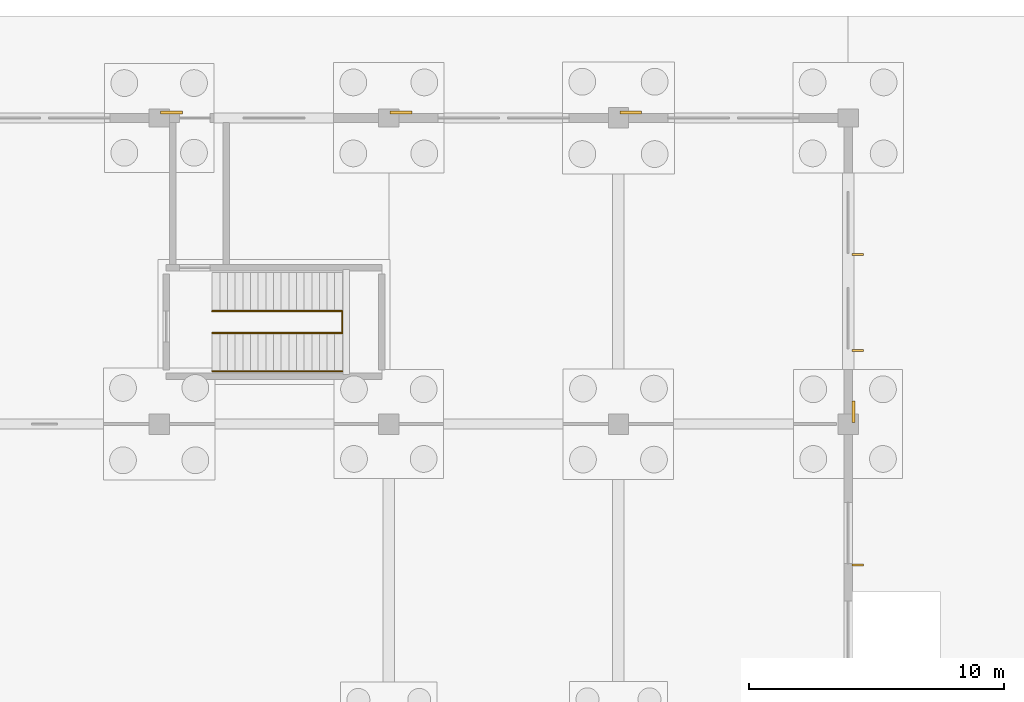
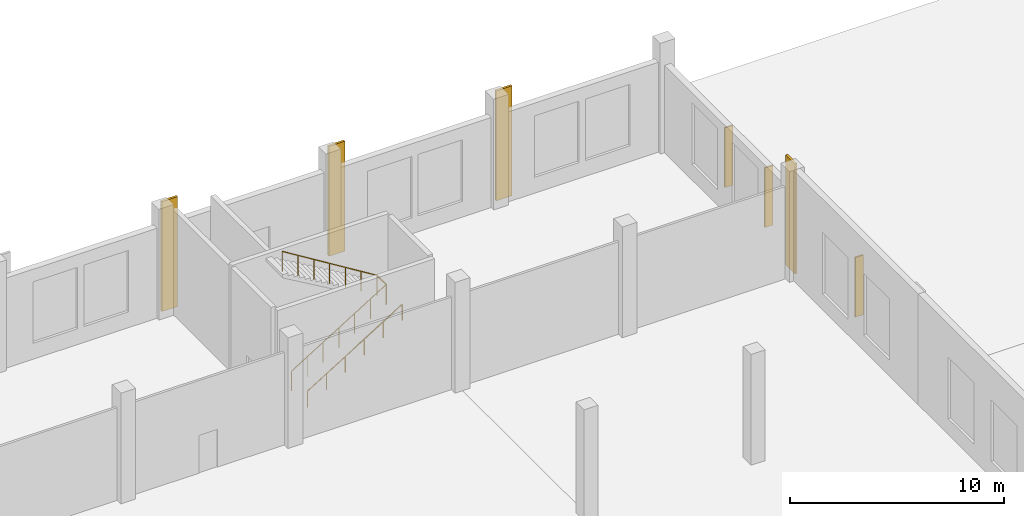
# One storey, part 98 of 99: 4 coverings, 4 railings, 3 shading devices.
"""IFC4 building model written with IfcOpenShell, lengths in metres."""

from ifc_helpers import new_model, si_unit, direction, frame, origin, origin_2d, place, context, subcontext, project, spatial, rectangle, circle, extrude, material, layer, layer_set, type_object, element, save


model = new_model("IFC4")

# Units and contexts
model_context = context("Model", 3, precision=1e-05, world=origin(), true_north=direction((0.0, 1.0)))
body_context = subcontext(model_context, "Body", "Model", "MODEL_VIEW")
ifc_project = project(units=[si_unit("LENGTHUNIT", "METRE"), si_unit("AREAUNIT", "SQUARE_METRE"), si_unit("VOLUMEUNIT", "CUBIC_METRE"), si_unit("PLANEANGLEUNIT", "RADIAN"), si_unit("MASSUNIT", "GRAM", prefix="KILO")], contexts=[model_context])

# Site, building, storey
site_placement = place(None, origin())
site = spatial("IfcSite", under=ifc_project, at=site_placement, CompositionType="ELEMENT")
building_placement = place(site_placement, origin())
building = spatial("IfcBuilding", under=site, at=building_placement, Name="Zacnel Wholesale Market", CompositionType="ELEMENT")
storey_placement = place(building_placement, origin())
storey = spatial("IfcBuildingStorey", under=building, at=storey_placement, Name="L01", CompositionType="ELEMENT", Elevation=0.0)

# Coverings
ifc_material_1 = material(Name="Honed Yucatan Maya cream limestone", Category="masonry")
ifc_layer = layer(ifc_material_1, 0.090087890625)
ifc_layer_set = layer_set([ifc_layer], Name="Honed Yucatan Maya cream limestone")
covering_type = type_object("IfcCoveringType", Name="COV-CLAD-FRET", PredefinedType="CLADDING", material=ifc_layer_set)
for number, where, z_axis, x_axis, name in (
    (1, (162.47998046875, 144.2099609375, 0.02001953125), (0.0, 0.0, 1.0), (1.0, 0.0, 0.0), "Fluted Mayan-Deco limestone pilaster L01-0072"),
    (2, (171.47998046875, 144.2099609375, 0.02001953125), (0.0, 0.0, 1.0), (1.0, 0.0, 0.0), "Fluted Mayan-Deco limestone pilaster L01-0073"),
    (3, (180.47998046875, 144.2099609375, 0.02001953125), (0.0, 0.0, 1.0), (1.0, 0.0, 0.0), "Fluted Mayan-Deco limestone pilaster L01-0074"),
    (4, (189.2099609375, 132.47998046875, 0.02001953125), (0.0, 0.0, 1.0), (0.0, 1.0, 0.0), "Fluted Mayan-Deco limestone pilaster L01-0078"),
):
    element("IfcCovering", number, at=place(storey_placement, frame(where, z_axis=z_axis, x_axis=x_axis)), inside=storey, type_object=covering_type, Name=name, PredefinedType="CLADDING", context=body_context, shape_type="SweptSolid", body=[
        extrude(rectangle(XDim=0.85009765625, YDim=0.1201171875, at=origin_2d()), origin(), (0.0, 0.0, 1.0), 6.260009765625),
    ])

# Railings
ifc_material_2 = material(Name="Galvanized steel", Category="steel")
railing_type_1 = type_object("IfcRailingType", Name="RAL-HANDRAIL-920", PredefinedType="HANDRAIL", material=ifc_material_2)
railing_1_placement = place(storey_placement, frame((164.080078125, 134.080078125, 0.0)))
element("IfcRailing", 5, at=railing_1_placement, inside=storey, type_object=railing_type_1, Name="Stair ST-21 wall handrail", PredefinedType="HANDRAIL", context=body_context, shape_type="SweptSolid", body=[
    extrude(circle(Radius=0.02099609375, at=origin_2d()), frame((0.0, 0.0, 0.89892578125), z_axis=(0.850798532938, 0.0, 0.525492013594), x_axis=(0.0, 1.0, 0.0)), (0.0, 0.0, 1.0), 5.994140625),
    extrude(circle(Radius=0.01806640625, at=origin_2d()), origin(), (0.0, 0.0, 1.0), 0.8779296875),
    extrude(circle(Radius=0.01806640625, at=origin_2d()), frame((1.02001953125, 0.0, 0.6298828125)), (0.0, 0.0, 1.0), 0.8779296875),
    extrude(circle(Radius=0.01806640625, at=origin_2d()), frame((2.0400390625, 0.0, 1.260009765625)), (0.0, 0.0, 1.0), 0.8779296875),
    extrude(circle(Radius=0.01806640625, at=origin_2d()), frame((3.059814453125, 0.0, 1.889892578125)), (0.0, 0.0, 1.0), 0.8779296875),
    extrude(circle(Radius=0.01806640625, at=origin_2d()), frame((4.079833984375, 0.0, 2.52001953125)), (0.0, 0.0, 1.0), 0.8779296875),
    extrude(circle(Radius=0.01806640625, at=origin_2d()), frame((5.099853515625, 0.0, 3.14990234375)), (0.0, 0.0, 1.0), 0.8779296875),
])
ifc_material_3 = material(Name="Galvanized steel", Category="steel")
railing_type_2 = type_object("IfcRailingType", Name="RAL-STAIR-GD1150", PredefinedType="BALUSTRADE", material=ifc_material_3)
railing_2_placement = place(storey_placement, frame((164.080078125, 135.570068359375, 0.0)))
element("IfcRailing", 6, at=railing_2_placement, inside=storey, type_object=railing_type_2, Name="Stair balustrade INT-STAIR-ST-21-GDIN-1", PredefinedType="BALUSTRADE", context=body_context, shape_type="SweptSolid", body=[
    extrude(circle(Radius=0.02392578125, at=origin_2d()), frame((0.0, 0.0, 1.1259765625), z_axis=(0.850798532938, 0.0, 0.525492013594), x_axis=(0.0, 1.0, 0.0)), (0.0, 0.0, 1.0), 5.994140625),
    extrude(circle(Radius=0.02099609375, at=origin_2d()), origin(), (0.0, 0.0, 1.0), 1.101806640625),
    extrude(circle(Radius=0.02099609375, at=origin_2d()), frame((0.85009765625, 0.0, 0.52490234375)), (0.0, 0.0, 1.0), 1.101806640625),
    extrude(circle(Radius=0.02099609375, at=origin_2d()), frame((1.699951171875, 0.0, 1.050048828125)), (0.0, 0.0, 1.0), 1.101806640625),
    extrude(circle(Radius=0.02099609375, at=origin_2d()), frame((2.5498046875, 0.0, 1.574951171875)), (0.0, 0.0, 1.0), 1.101806640625),
    extrude(circle(Radius=0.02099609375, at=origin_2d()), frame((3.39990234375, 0.0, 2.099853515625)), (0.0, 0.0, 1.0), 1.101806640625),
    extrude(circle(Radius=0.02099609375, at=origin_2d()), frame((4.25, 0.0, 2.625)), (0.0, 0.0, 1.0), 1.101806640625),
    extrude(circle(Radius=0.02099609375, at=origin_2d()), frame((5.099853515625, 0.0, 3.14990234375)), (0.0, 0.0, 1.0), 1.101806640625),
])
railing_3_placement = place(storey_placement, frame((169.179931640625, 135.570068359375, 3.14990234375)))
element("IfcRailing", 7, at=railing_3_placement, inside=storey, type_object=railing_type_2, Name="Stair balustrade INT-STAIR-ST-21-GDIN-2", PredefinedType="BALUSTRADE", context=body_context, shape_type="SweptSolid", body=[
    extrude(circle(Radius=0.02392578125, at=origin_2d()), frame((0.0, 0.0, 1.1259765625), z_axis=(0.0, 1.0, 0.0), x_axis=(-1.0, 0.0, 0.0)), (0.0, 0.0, 1.0), 0.85986328125),
    extrude(circle(Radius=0.02099609375, at=origin_2d()), origin(), (0.0, 0.0, 1.0), 1.101806640625),
    extrude(circle(Radius=0.02099609375, at=origin_2d()), frame((0.0, 0.85986328125, 0.0)), (0.0, 0.0, 1.0), 1.101806640625),
])
railing_4_placement = place(storey_placement, frame((169.179931640625, 136.429931640625, 3.14990234375)))
element("IfcRailing", 8, at=railing_4_placement, inside=storey, type_object=railing_type_2, Name="Stair balustrade INT-STAIR-ST-21-GDIN-3", PredefinedType="BALUSTRADE", context=body_context, shape_type="SweptSolid", body=[
    extrude(circle(Radius=0.02392578125, at=origin_2d()), frame((0.0, 0.0, 1.1259765625), z_axis=(-0.850780323153, 0.0, 0.525521495028), x_axis=(0.0, -1.0, 0.0)), (0.0, 0.0, 1.0), 5.994384765625),
    extrude(circle(Radius=0.02099609375, at=origin_2d()), origin(), (0.0, 0.0, 1.0), 1.101806640625),
    extrude(circle(Radius=0.02099609375, at=origin_2d()), frame((-0.85009765625, 0.0, 0.52490234375)), (0.0, 0.0, 1.0), 1.101806640625),
    extrude(circle(Radius=0.02099609375, at=origin_2d()), frame((-1.699951171875, 0.0, 1.050048828125)), (0.0, 0.0, 1.0), 1.101806640625),
    extrude(circle(Radius=0.02099609375, at=origin_2d()), frame((-2.5498046875, 0.0, 1.5751953125)), (0.0, 0.0, 1.0), 1.101806640625),
    extrude(circle(Radius=0.02099609375, at=origin_2d()), frame((-3.39990234375, 0.0, 2.10009765625)), (0.0, 0.0, 1.0), 1.101806640625),
    extrude(circle(Radius=0.02099609375, at=origin_2d()), frame((-4.25, 0.0, 2.625)), (0.0, 0.0, 1.0), 1.101806640625),
    extrude(circle(Radius=0.02099609375, at=origin_2d()), frame((-5.099853515625, 0.0, 3.150146484375)), (0.0, 0.0, 1.0), 1.101806640625),
])

# Shading devices
ifc_material_4 = material(Name="Honed Yucatan Maya cream limestone", Category="masonry")
shading_device_type = type_object("IfcShadingDeviceType", Name="SHD-FIN-V450", PredefinedType="USERDEFINED", material=ifc_material_4)
for number, where, z_axis, x_axis, name in (
    (9, (189.3798828125, 126.472900390625, 0.949951171875), (0.0, 0.0, 1.0), (0.0, 1.0, 0.0), "Limestone sunshade fin 0094"),
    (10, (189.3798828125, 134.889892578125, 0.949951171875), (0.0, 0.0, 1.0), (0.0, 1.0, 0.0), "Limestone sunshade fin 0095"),
    (11, (189.3798828125, 138.639892578125, 0.949951171875), (0.0, 0.0, 1.0), (0.0, 1.0, 0.0), "Limestone sunshade fin 0096"),
):
    element("IfcShadingDevice", number, at=place(storey_placement, frame(where, z_axis=z_axis, x_axis=x_axis)), inside=storey, type_object=shading_device_type, Name=name, ObjectType="SUNSHADE", PredefinedType="USERDEFINED", context=body_context, shape_type="SweptSolid", body=[
        extrude(rectangle(XDim=0.080078125, YDim=0.43994140625, at=origin_2d()), origin(), (0.0, 0.0, 1.0), 3.39990234375),
    ])

save(model, "model.ifc")
